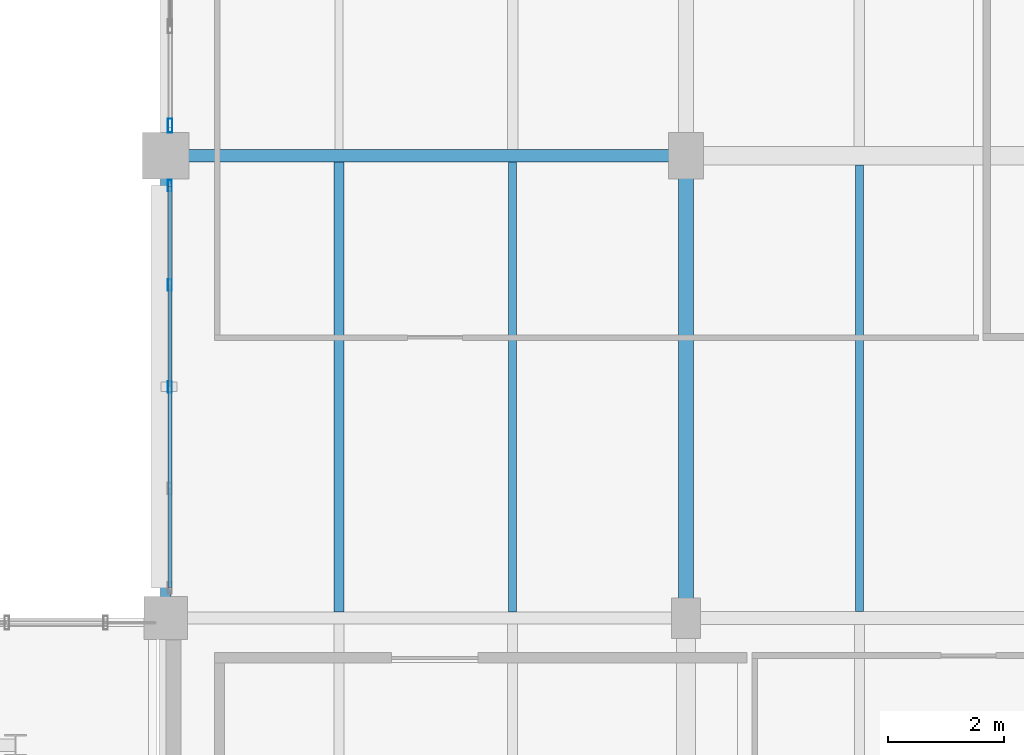
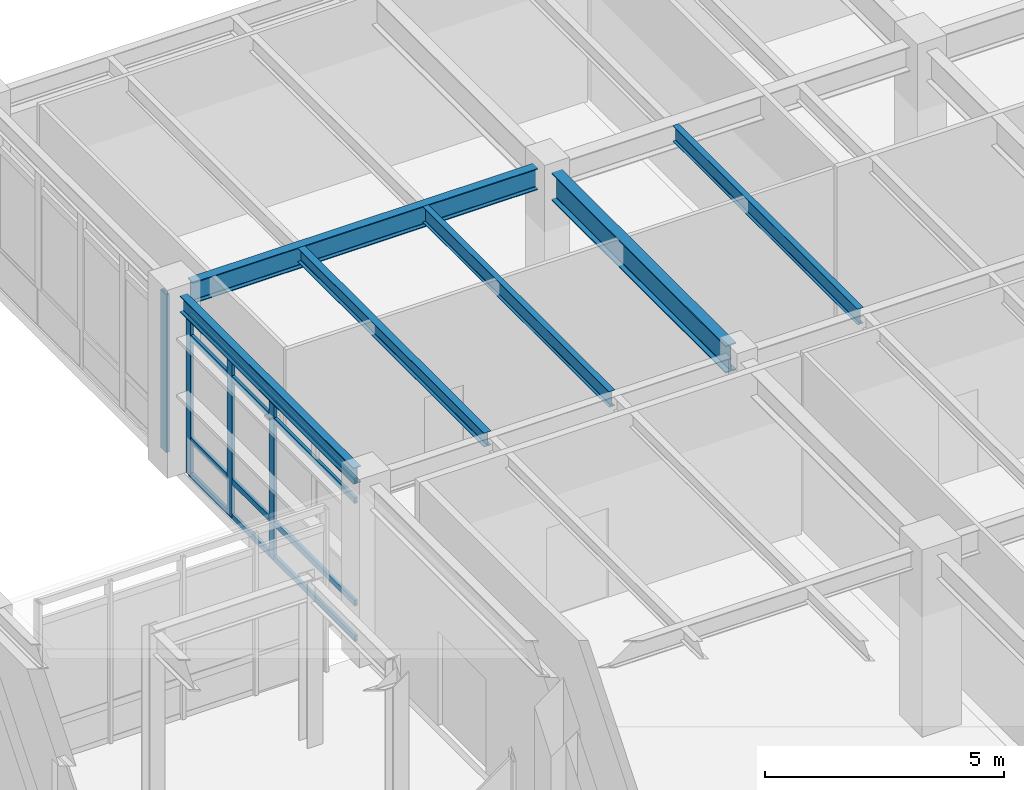
# One storey, part 100 of 200: 8 members, 6 beams, 2 elements without a shape of their own.
"""IFC4 building model written with IfcOpenShell, lengths in metres."""

from ifc_helpers import new_model, si_unit, direction, frame, origin, origin_2d, place, context, subcontext, project, spatial, hollow_rectangle, i_section, extrude, material, material_profile, profile_set, type_object, element, aggregate, save


model = new_model("IFC4")

# Units and contexts
model_context = context("Model", 3, precision=1e-05, world=origin(), true_north=direction((0.0, 1.0)))
body_context = subcontext(model_context, "Body", "Model", "MODEL_VIEW")
ifc_project = project(units=[si_unit("LENGTHUNIT", "METRE"), si_unit("AREAUNIT", "SQUARE_METRE"), si_unit("VOLUMEUNIT", "CUBIC_METRE"), si_unit("PLANEANGLEUNIT", "RADIAN"), si_unit("MASSUNIT", "GRAM", prefix="KILO"), si_unit("THERMODYNAMICTEMPERATUREUNIT", "KELVIN"), si_unit("POWERUNIT", "WATT")], contexts=[model_context])

# Site, building, storey
site_placement = place(None, origin())
site = spatial("IfcSite", under=ifc_project, at=site_placement, CompositionType="ELEMENT")
building_placement = place(site_placement, origin())
building = spatial("IfcBuilding", under=site, at=building_placement, Name="Tepalcoro Natatorium and Aquatics Centre", CompositionType="ELEMENT")
storey_placement = place(building_placement, frame((0.0, 0.0, 5.39990234375)))
storey = spatial("IfcBuildingStorey", under=building, at=storey_placement, Name="L01", CompositionType="ELEMENT", Elevation=5.39990234375)

# Beams
ifc_material_1 = material(Name="Steel ASTM A992 Grade 50 (Fy 345 MPa)", Category="steel")
ifc_material_profile_1 = material_profile(ifc_material_1, i_section(OverallWidth=0.2119140625, OverallDepth=0.5439453125, WebThickness=0.012939453125, FlangeThickness=0.02099609375, FilletRadius=0.013916015625, at=origin_2d()), Name="W21X83")
ifc_profile_set_1 = profile_set([ifc_material_profile_1], Name="Steel ASTM A992 Grade 50 (Fy 345 MPa)")
beam_type_1 = type_object("IfcBeamType", Name="BM_W21x83", PredefinedType="BEAM", material=ifc_profile_set_1)
beam_1_placement = place(storey_placement, frame((98.385009765625, 110.0, 4.273193359375), z_axis=(1.0, 0.0, 0.0), x_axis=(0.0, 1.0, 0.0)))
element("IfcBeam", 1, at=beam_1_placement, inside=storey, type_object=beam_type_1, Name="V5 L01 Grid Girder X", PredefinedType="BEAM", context=body_context, shape_type="SweptSolid", body=[
    extrude(i_section(OverallWidth=0.2119140625, OverallDepth=0.5439453125, WebThickness=0.012939453125, FlangeThickness=0.02099609375, FilletRadius=0.013916015625, at=origin_2d()), origin(), (0.0, 0.0, 1.0), 8.330078125),
])
ifc_material_profile_2 = material_profile(ifc_material_1, i_section(OverallWidth=0.25390625, OverallDepth=0.700927734375, WebThickness=0.014892578125, FlangeThickness=0.028076171875, FilletRadius=0.013916015625, at=origin_2d()), Name="W27X129")
ifc_profile_set_2 = profile_set([ifc_material_profile_2], Name="Steel ASTM A992 Grade 50 (Fy 345 MPa)")
beam_type_2 = type_object("IfcBeamType", Name="BM_W27x129", PredefinedType="BEAM", material=ifc_profile_set_2)
beam_2_placement = place(storey_placement, frame((107.0, 102.3349609375, 4.194580078125), z_axis=(0.0, 1.0, 0.0), x_axis=(-1.0, 0.0, 0.0)))
element("IfcBeam", 2, at=beam_2_placement, inside=storey, type_object=beam_type_2, Name="V5 L01 Grid Girder Y", PredefinedType="BEAM", context=body_context, shape_type="SweptSolid", body=[
    extrude(i_section(OverallWidth=0.25390625, OverallDepth=0.700927734375, WebThickness=0.014892578125, FlangeThickness=0.028076171875, FilletRadius=0.013916015625, at=origin_2d()), origin(), (0.0, 0.0, 1.0), 7.280029296875),
])

# Curtain wall, members
ifc_material_2 = material(Name="Bronze-Anodised Extruded Aluminium Alloy EN AW-6063 T6", Category="aluminium")
curtain_wall_type_1 = type_object("IfcCurtainWallType", Name="CW_LEAN_T1_EW", PredefinedType="USERDEFINED", material=ifc_material_2)
curtain_wall_1_placement = place(storey_placement, origin())
curtain_wall_1 = element("IfcCurtainWall", 3, at=curtain_wall_1_placement, inside=storey, type_object=curtain_wall_type_1, Name="V5 L01 W Unitised Curtain Wall Bay 3", ObjectType="FACETED SOLAR GLAZING", PredefinedType="USERDEFINED")
ifc_material_profile_3 = material_profile(ifc_material_2, hollow_rectangle(XDim=0.070068359375, YDim=0.199951171875, WallThickness=0.0048828125, at=origin_2d()), Name="AL70X200X5")
ifc_profile_set_3 = profile_set([ifc_material_profile_3], Name="Bronze-Anodised Extruded Aluminium Alloy EN AW-6063 T6")
member_type_1 = type_object("IfcMemberType", Name="CW_MUL_70x200", PredefinedType="MULLION", material=ifc_profile_set_3)
member_1_placement = place(storey_placement, frame((98.0712890625, 106.0, 0.02001953125), z_axis=(0.0, 0.0, 1.0), x_axis=(1.0, 0.0, 0.0)))
member_1 = element("IfcMember", 4, at=member_1_placement, type_object=member_type_1, Name="CW_LEAN_T1_EW Curtain Wall Mullion", PredefinedType="MULLION", context=body_context, shape_type="SweptSolid", body=[
    extrude(hollow_rectangle(XDim=0.070068359375, YDim=0.199951171875, WallThickness=0.0048828125, at=origin_2d()), origin(), (0.0, 0.0, 1.0), 4.0771484375),
])
member_2_placement = place(storey_placement, frame((98.0712890625, 107.760009765625, 0.02001953125), z_axis=(0.0, 0.0, 1.0), x_axis=(1.0, 0.0, 0.0)))
member_2 = element("IfcMember", 5, at=member_2_placement, type_object=member_type_1, Name="CW_LEAN_T1_EW Curtain Wall Mullion", PredefinedType="MULLION", context=body_context, shape_type="SweptSolid", body=[
    extrude(hollow_rectangle(XDim=0.070068359375, YDim=0.199951171875, WallThickness=0.0048828125, at=origin_2d()), origin(), (0.0, 0.0, 1.0), 4.0771484375),
])
member_3_placement = place(storey_placement, frame((98.0712890625, 109.47998046875, 0.02001953125), z_axis=(0.0, 0.0, 1.0), x_axis=(1.0, 0.0, 0.0)))
member_3 = element("IfcMember", 6, at=member_3_placement, type_object=member_type_1, Name="CW_LEAN_T1_EW Curtain Wall Mullion", PredefinedType="MULLION", context=body_context, shape_type="SweptSolid", body=[
    extrude(hollow_rectangle(XDim=0.070068359375, YDim=0.199951171875, WallThickness=0.0048828125, at=origin_2d()), origin(), (0.0, 0.0, 1.0), 4.0771484375),
])

# Curtain wall, member
curtain_wall_type_2 = type_object("IfcCurtainWallType", Name="CW_LEAN_T2_NS", PredefinedType="USERDEFINED", material=ifc_material_2)
curtain_wall_2_placement = place(storey_placement, origin())
curtain_wall_2 = element("IfcCurtainWall", 7, at=curtain_wall_2_placement, inside=storey, type_object=curtain_wall_type_2, Name="V5 L01 W Unitised Curtain Wall Bay 4", ObjectType="FACETED SOLAR GLAZING", PredefinedType="USERDEFINED")
ifc_material_profile_4 = material_profile(ifc_material_2, hollow_rectangle(XDim=0.080078125, YDim=0.239990234375, WallThickness=0.0048828125, at=origin_2d()), Name="AL80X240X5")
ifc_profile_set_4 = profile_set([ifc_material_profile_4], Name="Bronze-Anodised Extruded Aluminium Alloy EN AW-6063 T6")
member_type_2 = type_object("IfcMemberType", Name="CW_MUL_80x240", PredefinedType="MULLION", material=ifc_profile_set_4)
member_4_placement = place(storey_placement, frame((98.076171875, 110.52001953125, 0.02001953125), z_axis=(0.0, 0.0, 1.0), x_axis=(1.0, 0.0, 0.0)))
member_4 = element("IfcMember", 8, at=member_4_placement, type_object=member_type_2, Name="CW_LEAN_T2_NS Curtain Wall Mullion", PredefinedType="MULLION", context=body_context, shape_type="SweptSolid", body=[
    extrude(hollow_rectangle(XDim=0.080078125, YDim=0.239990234375, WallThickness=0.0048828125, at=origin_2d()), origin(), (0.0, 0.0, 1.0), 4.030029296875),
])
aggregate(curtain_wall_2, [member_4])

# Member
ifc_material_profile_5 = material_profile(ifc_material_2, hollow_rectangle(XDim=0.070068359375, YDim=0.14990234375, WallThickness=0.00390625, at=origin_2d()), Name="AL70X150X4")
ifc_profile_set_5 = profile_set([ifc_material_profile_5], Name="Bronze-Anodised Extruded Aluminium Alloy EN AW-6063 T6")
member_type_3 = type_object("IfcMemberType", Name="CW_TRN_70x150", PredefinedType="USERDEFINED", material=ifc_profile_set_5)
member_5_placement = place(storey_placement, frame((98.0712890625, 102.530029296875, 0.050048828125), z_axis=(0.0, 1.0, 0.0), x_axis=(-1.0, 0.0, 0.0)))
member_5 = element("IfcMember", 9, at=member_5_placement, type_object=member_type_3, Name="CW_LEAN_T1_EW Curtain Wall Transom", ObjectType="TRANSOM", PredefinedType="USERDEFINED", context=body_context, shape_type="SweptSolid", body=[
    extrude(hollow_rectangle(XDim=0.070068359375, YDim=0.14990234375, WallThickness=0.00390625, at=origin_2d()), origin(), (0.0, 0.0, 1.0), 6.93994140625),
])

member_6_placement = place(storey_placement, frame((98.0712890625, 102.530029296875, 0.9501953125), z_axis=(0.0, 1.0, 0.0), x_axis=(-1.0, 0.0, 0.0)))
member_6 = element("IfcMember", 10, at=member_6_placement, type_object=member_type_3, Name="CW_LEAN_T1_EW Curtain Wall Transom", ObjectType="TRANSOM", PredefinedType="USERDEFINED", context=body_context, shape_type="SweptSolid", body=[
    extrude(hollow_rectangle(XDim=0.070068359375, YDim=0.14990234375, WallThickness=0.00390625, at=origin_2d()), origin(), (0.0, 0.0, 1.0), 6.93994140625),
])

member_7_placement = place(storey_placement, frame((98.0712890625, 102.530029296875, 3.567138671875), z_axis=(0.0, 1.0, 0.0), x_axis=(-1.0, 0.0, 0.0)))
member_7 = element("IfcMember", 11, at=member_7_placement, type_object=member_type_3, Name="CW_LEAN_T1_EW Curtain Wall Transom", ObjectType="TRANSOM", PredefinedType="USERDEFINED", context=body_context, shape_type="SweptSolid", body=[
    extrude(hollow_rectangle(XDim=0.070068359375, YDim=0.14990234375, WallThickness=0.00390625, at=origin_2d()), origin(), (0.0, 0.0, 1.0), 6.93994140625),
])

member_8_placement = place(storey_placement, frame((98.0712890625, 102.530029296875, 4.067138671875), z_axis=(0.0, 1.0, 0.0), x_axis=(-1.0, 0.0, 0.0)))
member_8 = element("IfcMember", 12, at=member_8_placement, type_object=member_type_3, Name="CW_LEAN_T1_EW Curtain Wall Transom", ObjectType="TRANSOM", PredefinedType="USERDEFINED", context=body_context, shape_type="SweptSolid", body=[
    extrude(hollow_rectangle(XDim=0.070068359375, YDim=0.14990234375, WallThickness=0.00390625, at=origin_2d()), origin(), (0.0, 0.0, 1.0), 6.93994140625),
])

aggregate(curtain_wall_1, [member_1, member_2, member_3, member_5, member_6, member_7, member_8])

# Beams
ifc_material_profile_6 = material_profile(ifc_material_1, i_section(OverallWidth=0.172119140625, OverallDepth=0.35791015625, WebThickness=0.008056640625, FlangeThickness=0.012939453125, FilletRadius=0.013916015625, at=origin_2d()), Name="W14X38")
ifc_profile_set_6 = profile_set([ifc_material_profile_6], Name="Steel ASTM A992 Grade 50 (Fy 345 MPa)")
beam_type_3 = type_object("IfcBeamType", Name="JS_W14x38", PredefinedType="JOIST", material=ifc_profile_set_6)
beam_3_placement = place(storey_placement, frame((101.0, 102.10498046875, 4.3662109375), z_axis=(0.0, 1.0, 0.0), x_axis=(-1.0, 0.0, 0.0)))
element("IfcBeam", 13, at=beam_3_placement, inside=storey, type_object=beam_type_3, Name="V5 L01 Floor Joist", PredefinedType="JOIST", context=body_context, shape_type="SweptSolid", body=[
    extrude(i_section(OverallWidth=0.172119140625, OverallDepth=0.35791015625, WebThickness=0.008056640625, FlangeThickness=0.012939453125, FilletRadius=0.013916015625, at=origin_2d()), origin(), (0.0, 0.0, 1.0), 7.7890625),
])
ifc_material_profile_7 = material_profile(ifc_material_1, i_section(OverallWidth=0.139892578125, OverallDepth=0.404052734375, WebThickness=0.007080078125, FlangeThickness=0.010986328125, FilletRadius=0.013916015625, at=origin_2d()), Name="W16X31")
ifc_profile_set_7 = profile_set([ifc_material_profile_7], Name="Steel ASTM A992 Grade 50 (Fy 345 MPa)")
beam_type_4 = type_object("IfcBeamType", Name="JS_W16x31", PredefinedType="JOIST", material=ifc_profile_set_7)
beam_4_placement = place(storey_placement, frame((104.0, 102.10498046875, 4.343017578125), z_axis=(0.0, 1.0, 0.0), x_axis=(-1.0, 0.0, 0.0)))
element("IfcBeam", 14, at=beam_4_placement, inside=storey, type_object=beam_type_4, Name="V5 L01 Floor Joist", PredefinedType="JOIST", context=body_context, shape_type="SweptSolid", body=[
    extrude(i_section(OverallWidth=0.139892578125, OverallDepth=0.404052734375, WebThickness=0.007080078125, FlangeThickness=0.010986328125, FilletRadius=0.013916015625, at=origin_2d()), origin(), (0.0, 0.0, 1.0), 7.7890625),
])
beam_5_placement = place(storey_placement, frame((110.0, 102.114990234375, 4.343017578125), z_axis=(0.0, 1.0, 0.0), x_axis=(-1.0, 0.0, 0.0)))
element("IfcBeam", 15, at=beam_5_placement, inside=storey, type_object=beam_type_4, Name="V5 L01 Floor Joist", PredefinedType="JOIST", context=body_context, shape_type="SweptSolid", body=[
    extrude(i_section(OverallWidth=0.139892578125, OverallDepth=0.404052734375, WebThickness=0.007080078125, FlangeThickness=0.010986328125, FilletRadius=0.013916015625, at=origin_2d()), origin(), (0.0, 0.0, 1.0), 7.722412109375),
])
ifc_material_profile_8 = material_profile(ifc_material_1, i_section(OverallWidth=0.179931640625, OverallDepth=0.4130859375, WebThickness=0.010009765625, FlangeThickness=0.01611328125, FilletRadius=0.013916015625, at=origin_2d()), Name="W16X50")
ifc_profile_set_8 = profile_set([ifc_material_profile_8], Name="Steel ASTM A992 Grade 50 (Fy 345 MPa)")
beam_type_5 = type_object("IfcBeamType", Name="SP_HSS300x200x12", PredefinedType="SPANDREL", material=ifc_profile_set_8)
beam_6_placement = place(storey_placement, frame((98.0, 102.360107421875, 4.338623046875), z_axis=(0.0, 1.0, 0.0), x_axis=(-1.0, 0.0, 0.0)))
element("IfcBeam", 16, at=beam_6_placement, inside=storey, type_object=beam_type_5, Name="V5 L01 Grid Girder Y", PredefinedType="SPANDREL", context=body_context, shape_type="SweptSolid", body=[
    extrude(i_section(OverallWidth=0.179931640625, OverallDepth=0.4130859375, WebThickness=0.010009765625, FlangeThickness=0.01611328125, FilletRadius=0.013916015625, at=origin_2d()), origin(), (0.0, 0.0, 1.0), 7.2548828125),
])

save(model, "model.ifc")
